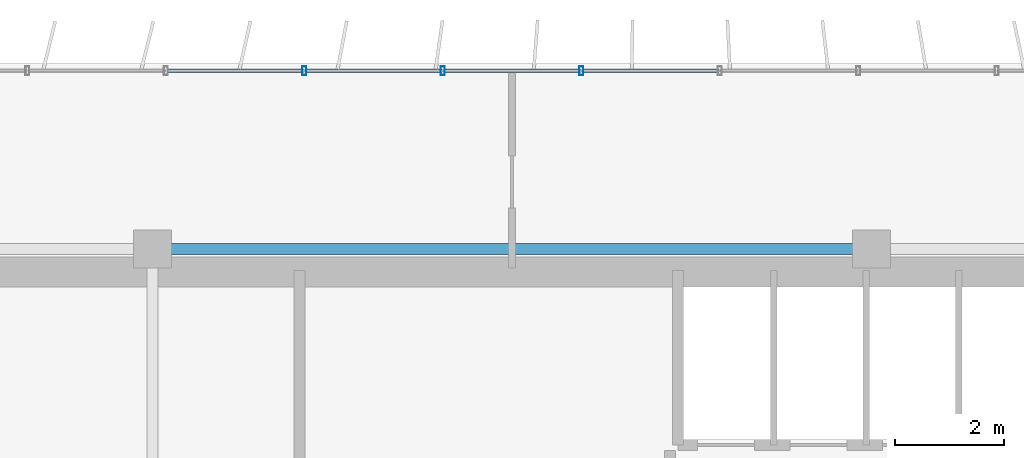
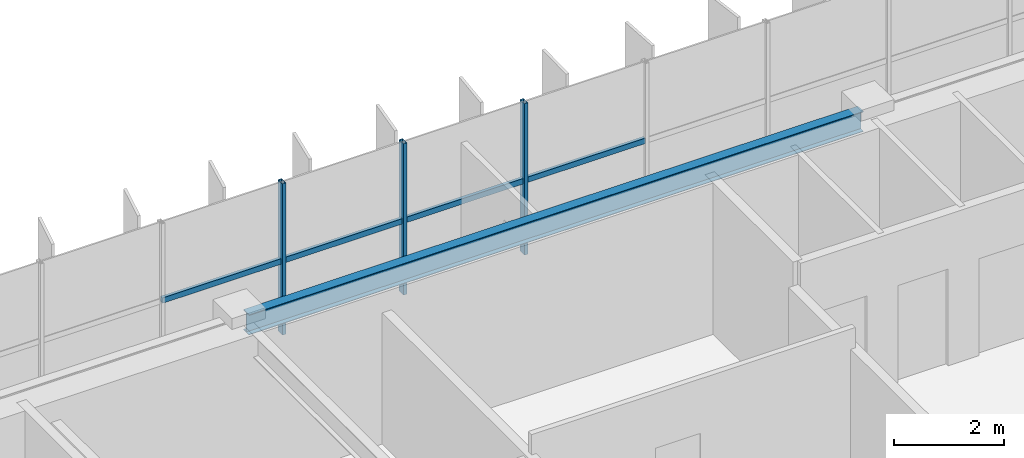
# One storey, part 9 of 23: 7 members, 1 beam, 1 element without a shape of its own.
"""IFC4 building model written with IfcOpenShell, lengths in metres."""

import ifcopenshell
import ifcopenshell.guid

model = None  # the IFC model being written
_history = None  # IfcOwnerHistory: only IFC2X3 demands one
_inside = {}  # id of a spatial element -> (the spatial element, [elements in it])
_under = {}  # id of a project, library or spatial element -> (it, [spatial elements below it])
_declared = {}  # id of a project -> (the project, [libraries it declares])
_typed = {}  # id of a type object -> (the type object, [elements of that type])
_made_of = {}  # id of a material, layer set ... -> (it, [elements and type objects made of it])


def new_model(schema):
    """Start an empty IFC model of exactly this schema.

    Asked for "IFC4X3", IfcOpenShell would pick the latest addendum, in which some entities
    have other attributes; the version numbers below select the first issue.
    IFC2X3 requires an IfcOwnerHistory on every rooted entity: one is made here for all.
    """
    global model, _history
    if schema == "IFC4X3":
        model = ifcopenshell.file(schema_version=(4, 3, 0, 0))
    else:
        model = ifcopenshell.file(schema=schema)
    _inside.clear()
    _under.clear()
    _declared.clear()
    _typed.clear()
    _made_of.clear()
    _history = None
    if model.schema == "IFC2X3":
        org = make("IfcOrganization", Name="unknown")
        user = make(
            "IfcPersonAndOrganization",
            ThePerson=make("IfcPerson", FamilyName="unknown"),
            TheOrganization=org,
        )
        app = make(
            "IfcApplication",
            ApplicationDeveloper=org,
            Version="unknown",
            ApplicationFullName="unknown",
            ApplicationIdentifier="unknown",
        )
        _history = make(
            "IfcOwnerHistory",
            OwningUser=user,
            OwningApplication=app,
            ChangeAction="ADDED",
            CreationDate=0,
        )
    return model


def make(cls, **values):
    """One entity of the class cls with the attributes given. An attribute that is None is left unset."""
    return model.create_entity(
        cls, **{name: value for name, value in values.items() if value is not None}
    )


def rooted(cls, **values):
    """An entity with a GlobalId (a new one), such as an element, a storey or a relation."""
    return make(cls, GlobalId=ifcopenshell.guid.new(), OwnerHistory=_history, **values)


def si_unit(unit_type, name, prefix=None):
    """IfcSIUnit, for example si_unit("LENGTHUNIT", "METRE", prefix="MILLI")."""
    return make("IfcSIUnit", UnitType=unit_type, Prefix=prefix, Name=name)


def assignment(units):
    """IfcUnitAssignment: the units of a project."""
    return None if units is None else make("IfcUnitAssignment", Units=units)


def point(xyz):
    """IfcCartesianPoint."""
    return None if xyz is None else make("IfcCartesianPoint", Coordinates=xyz)


def direction(xyz):
    """IfcDirection."""
    return None if xyz is None else make("IfcDirection", DirectionRatios=xyz)


def frame(location, z_axis=None, x_axis=None):
    """IfcAxis2Placement3D, a coordinate frame: its origin and axes. An axis left out is left unset."""
    return make(
        "IfcAxis2Placement3D",
        Location=point(location),
        Axis=direction(z_axis),
        RefDirection=direction(x_axis),
    )


def frame_2d(location, x_axis=None):
    """IfcAxis2Placement2D, a coordinate frame in the plane: its origin and x axis."""
    return make(
        "IfcAxis2Placement2D", Location=point(location), RefDirection=direction(x_axis)
    )


def origin():
    """The frame at (0, 0, 0) with its axes left unset."""
    return frame((0.0, 0.0, 0.0))


def origin_2d():
    """The frame at (0, 0) in the plane with its x axis left unset."""
    return frame_2d((0.0, 0.0))


def place(relative_to, where):
    """IfcLocalPlacement: puts the frame where relative to a parent placement (None: the world)."""
    return make(
        "IfcLocalPlacement", PlacementRelTo=relative_to, RelativePlacement=where
    )


def context(
    kind, dimensions, precision=None, world=None, true_north=None, identifier=None
):
    """IfcGeometricRepresentationContext, for example the 3D "Model" context."""
    return make(
        "IfcGeometricRepresentationContext",
        ContextIdentifier=identifier,
        ContextType=kind,
        CoordinateSpaceDimension=dimensions,
        Precision=precision,
        WorldCoordinateSystem=world,
        TrueNorth=true_north,
    )


def subcontext(parent, identifier, kind, view, scale=None):
    """IfcGeometricRepresentationSubContext, for example "Body" below "Model"."""
    return make(
        "IfcGeometricRepresentationSubContext",
        ContextIdentifier=identifier,
        ContextType=kind,
        ParentContext=parent,
        TargetScale=scale,
        TargetView=view,
    )


def project(units=None, contexts=None):
    """IfcProject with its units and contexts."""
    return rooted(
        "IfcProject",
        Name="project",
        RepresentationContexts=contexts,
        UnitsInContext=assignment(units),
    )


def spatial(cls, under=None, at=None, **own):
    """A site, building, storey or space (cls), placed at a placement, below another one or the project."""
    s = rooted(cls, ObjectPlacement=at, **own)
    if under is not None:
        _under.setdefault(under.id(), (under, []))[1].append(s)
    return s


def profile(cls, at=None, kind="AREA", **sizes):
    """A parametric profile (cls). Its sizes go by their IFC names, for example OverallWidth=200.0."""
    return make(cls, ProfileType=kind, Position=at, **sizes)


def hollow_rectangle(**sizes):
    """IfcRectangleHollowProfileDef."""
    return profile("IfcRectangleHollowProfileDef", **sizes)


def i_section(**sizes):
    """IfcIShapeProfileDef."""
    return profile("IfcIShapeProfileDef", **sizes)


def extrude(swept, where, along, depth):
    """IfcExtrudedAreaSolid: the profile swept, set in the frame where, extruded along a direction by depth."""
    return make(
        "IfcExtrudedAreaSolid",
        SweptArea=swept,
        Position=where,
        ExtrudedDirection=direction(along),
        Depth=depth,
    )


def shape(context_of_items, identifier, shape_type, items):
    """IfcShapeRepresentation: the items that make up one representation, for example the "Body"."""
    return make(
        "IfcShapeRepresentation",
        ContextOfItems=context_of_items,
        RepresentationIdentifier=identifier,
        RepresentationType=shape_type,
        Items=items,
    )


def source(mapping_origin, context_of_items, identifier, shape_type, items):
    """IfcRepresentationMap: a shape defined once, which mapped items show again and again."""
    return make(
        "IfcRepresentationMap",
        MappingOrigin=mapping_origin,
        MappedRepresentation=shape(context_of_items, identifier, shape_type, items),
    )


def transform(
    local_origin,
    x_axis=None,
    y_axis=None,
    z_axis=None,
    scale=None,
    scale2=None,
    scale3=None,
    uniform=True,
):
    """IfcCartesianTransformationOperator3D, or its non-uniform kind. x_axis, y_axis, z_axis: its Axis1, 2, 3."""
    if uniform:
        return make(
            "IfcCartesianTransformationOperator3D",
            Axis1=direction(x_axis),
            Axis2=direction(y_axis),
            LocalOrigin=point(local_origin),
            Scale=scale,
            Axis3=direction(z_axis),
        )
    return make(
        "IfcCartesianTransformationOperator3DnonUniform",
        Axis1=direction(x_axis),
        Axis2=direction(y_axis),
        LocalOrigin=point(local_origin),
        Scale=scale,
        Axis3=direction(z_axis),
        Scale2=scale2,
        Scale3=scale3,
    )


def mapped(mapping_source, mapping_target):
    """IfcMappedItem: shows the shape of a source again, moved by a transform."""
    return make(
        "IfcMappedItem", MappingSource=mapping_source, MappingTarget=mapping_target
    )


def material(Name=None, Category=None):
    """IfcMaterial."""
    return make("IfcMaterial", Name=Name, Category=Category)


def material_profile(
    of_material, cross_section, Name=None, Category=None, Priority=None
):
    """IfcMaterialProfile: a cross section and its material."""
    return make(
        "IfcMaterialProfile",
        Name=Name,
        Material=of_material,
        Profile=cross_section,
        Priority=Priority,
        Category=Category,
    )


def profile_set(profiles, Name=None, composite=None):
    """IfcMaterialProfileSet."""
    return make(
        "IfcMaterialProfileSet",
        Name=Name,
        MaterialProfiles=profiles,
        CompositeProfile=composite,
    )


def made_of(thing, what):
    """Note that an element or type object is made of a material, layer set ...; save() writes the relation."""
    if what is not None:
        _made_of.setdefault(what.id(), (what, []))[1].append(thing)
    return thing


def type_object(cls, material=None, **own):
    """A type object (cls), such as IfcWallType, which elements share."""
    return made_of(rooted(cls, **own), material)


def element(
    cls,
    number,
    at=None,
    inside=None,
    cuts=None,
    type_object=None,
    material=None,
    context=None,
    identifier="Body",
    shape_type=None,
    held_by="IfcProductDefinitionShape",
    body=None,
    shapes=None,
    **own,
):
    """One element of the class cls, such as IfcWall. Its Tag is "e" and its number.

    at: its placement. inside: the storey or other place that contains it. cuts: it is an
    opening in that element (IfcRelVoidsElement). A single representation is given by context,
    identifier, shape_type and body (its items); several are given by shapes. held_by: the class
    of the entity that holds the representations. save() writes the other relations.
    """
    e = rooted(cls, Tag="e%d" % number, ObjectPlacement=at, **own)
    if body is not None:
        shapes = [shape(context, identifier, shape_type, body)]
    if shapes is not None:
        e.Representation = make(held_by, Representations=shapes)
    if inside is not None:
        _inside.setdefault(inside.id(), (inside, []))[1].append(e)
    if cuts is not None:
        rooted(
            "IfcRelVoidsElement", RelatingBuildingElement=cuts, RelatedOpeningElement=e
        )
    if type_object is not None:
        _typed.setdefault(type_object.id(), (type_object, []))[1].append(e)
    return made_of(e, material)


def aggregate(whole, parts):
    """IfcRelAggregates: a whole, such as a stair, and the parts it consists of."""
    return rooted("IfcRelAggregates", RelatingObject=whole, RelatedObjects=parts)


def save(model, path):
    """Write the relations noted so far, then the file.

    IfcRelAggregates (storeys below a building ...), IfcRelContainedInSpatialStructure (elements
    in a storey), IfcRelDefinesByType, IfcRelAssociatesMaterial and IfcRelDeclares: one each for
    every whole, place, type object, material and project.
    """
    for whole, parts in _under.values():
        aggregate(whole, parts)
    for where, things in _inside.values():
        rooted(
            "IfcRelContainedInSpatialStructure",
            RelatedElements=things,
            RelatingStructure=where,
        )
    for kind, things in _typed.values():
        rooted("IfcRelDefinesByType", RelatedObjects=things, RelatingType=kind)
    for what, things in _made_of.values():
        rooted("IfcRelAssociatesMaterial", RelatedObjects=things, RelatingMaterial=what)
    for by, libraries in _declared.values():
        rooted("IfcRelDeclares", RelatingContext=by, RelatedDefinitions=libraries)
    model.write(path)


model = new_model("IFC4")

# Units and contexts
model_context = context("Model", 3, precision=1e-05, world=origin(), true_north=direction((0.0, 1.0)))
body_context = subcontext(model_context, "Body", "Model", "MODEL_VIEW")
ifc_project = project(units=[si_unit("LENGTHUNIT", "METRE"), si_unit("AREAUNIT", "SQUARE_METRE"), si_unit("VOLUMEUNIT", "CUBIC_METRE"), si_unit("PLANEANGLEUNIT", "RADIAN"), si_unit("MASSUNIT", "GRAM", prefix="KILO")], contexts=[model_context])

# Site, building, storey
site_placement = place(None, origin())
site = spatial("IfcSite", under=ifc_project, at=site_placement, CompositionType="ELEMENT")
building_placement = place(site_placement, origin())
building = spatial("IfcBuilding", under=site, at=building_placement, Name="Trelvane Seafront Commons", CompositionType="ELEMENT")
storey_placement = place(building_placement, frame((0.0, 0.0, 230.10009765625)))
storey = spatial("IfcBuildingStorey", under=building, at=storey_placement, Name="L60", CompositionType="ELEMENT", Elevation=230.10009765625)

# Beam
ifc_material_1 = material(Name="Steel SM355 (S355)", Category="steel")
ifc_material_profile_1 = material_profile(ifc_material_1, i_section(OverallWidth=0.199951171875, OverallDepth=0.449951171875, WebThickness=0.009033203125, FlangeThickness=0.013916015625, at=origin_2d()), Name="H-450x200x9x14")
ifc_profile_set_1 = profile_set([ifc_material_profile_1], Name="Steel SM355 (S355)")
beam_type = type_object("IfcBeamType", Name="STR-SPD-H450", PredefinedType="SPANDREL", material=ifc_profile_set_1)
shared_shape_1 = source(origin(), body_context, "Body", "SweptSolid", [
    extrude(i_section(OverallWidth=0.199951171875, OverallDepth=0.449951171875, WebThickness=0.009033203125, FlangeThickness=0.013916015625, at=origin_2d()), origin(), (0.0, 0.0, 1.0), 12.89990234375),
])
beam_placement = place(storey_placement, frame((30.75, 45.10009765625, 3.135009765625), z_axis=(1.0, 0.0, 0.0), x_axis=(0.0, 1.0, 0.0)))
element("IfcBeam", 1, at=beam_placement, inside=storey, type_object=beam_type, Name="L60 Primary Girder G-25", PredefinedType="SPANDREL", context=body_context, shape_type="MappedRepresentation", body=[
    mapped(shared_shape_1, transform((0.0, 0.0, 0.0), x_axis=(1.0, 0.0, 0.0), y_axis=(0.0, 1.0, 0.0), z_axis=(0.0, 0.0, 1.0), scale=1.0)),
])

# Curtain wall, members
ifc_material_2 = material(Name="Anodised pale-silver aluminium", Category="aluminium")
curtain_wall_type = type_object("IfcCurtainWallType", Name="ARCH-CW5-UPTOWER", PredefinedType="NOTDEFINED", material=ifc_material_2)
curtain_wall_placement = place(storey_placement, origin())
curtain_wall = element("IfcCurtainWall", 2, at=curtain_wall_placement, inside=storey, type_object=curtain_wall_type, Name="CW-L60-0103", PredefinedType="NOTDEFINED")
ifc_material_profile_2 = material_profile(ifc_material_2, hollow_rectangle(XDim=0.070068359375, YDim=0.1201171875, WallThickness=0.00390625, at=origin_2d()), Name="TRAN-70x120x4")
ifc_profile_set_2 = profile_set([ifc_material_profile_2], Name="Anodised pale-silver aluminium")
member_type_1 = type_object("IfcMemberType", Name="ARCH-CW-TRAN-120", PredefinedType="USERDEFINED", material=ifc_profile_set_2)
shared_shape_2 = source(origin(), body_context, "Body", "SweptSolid", [
    extrude(hollow_rectangle(XDim=0.070068359375, YDim=0.1201171875, WallThickness=0.00390625, at=origin_2d()), origin(), (0.0, 0.0, 1.0), 2.51708984375),
])
member_1_placement = place(storey_placement, frame((30.859130859375, 48.3701171875, 1.61279296875), z_axis=(1.0, 0.0, 0.0), x_axis=(0.0, 1.0, 0.0)))
member_1 = element("IfcMember", 3, at=member_1_placement, type_object=member_type_1, Name="CW-L60-0103-T06", ObjectType="TRANSOM", PredefinedType="USERDEFINED", context=body_context, shape_type="MappedRepresentation", body=[
    mapped(shared_shape_2, transform((0.0, 0.0, 0.0), x_axis=(1.0, 0.0, 0.0), y_axis=(0.0, 1.0, 0.0), z_axis=(0.0, 0.0, 1.0), scale=1.0)),
])
member_2_placement = place(storey_placement, frame((35.94140625, 48.3701171875, 1.61279296875), z_axis=(1.0, 0.0, 0.0), x_axis=(0.0, 1.0, 0.0)))
member_2 = element("IfcMember", 4, at=member_2_placement, type_object=member_type_1, Name="CW-L60-0103-T08", ObjectType="TRANSOM", PredefinedType="USERDEFINED", context=body_context, shape_type="MappedRepresentation", body=[
    mapped(shared_shape_2, transform((0.0, 0.0, 0.0), x_axis=(1.0, 0.0, 0.0), y_axis=(0.0, 1.0, 0.0), z_axis=(0.0, 0.0, 1.0), scale=1.0)),
])
member_3_placement = place(storey_placement, frame((38.482666015625, 48.3701171875, 1.61279296875), z_axis=(1.0, 0.0, 0.0), x_axis=(0.0, 1.0, 0.0)))
member_3 = element("IfcMember", 5, at=member_3_placement, type_object=member_type_1, Name="CW-L60-0103-T09", ObjectType="TRANSOM", PredefinedType="USERDEFINED", context=body_context, shape_type="MappedRepresentation", body=[
    mapped(shared_shape_2, transform((0.0, 0.0, 0.0), x_axis=(1.0, 0.0, 0.0), y_axis=(0.0, 1.0, 0.0), z_axis=(0.0, 0.0, 1.0), scale=1.0)),
])
shared_shape_3 = source(origin(), body_context, "Body", "SweptSolid", [
    extrude(hollow_rectangle(XDim=0.070068359375, YDim=0.1201171875, WallThickness=0.00390625, at=origin_2d()), origin(), (0.0, 0.0, 1.0), 2.517333984375),
])
member_4_placement = place(storey_placement, frame((33.400146484375, 48.3701171875, 1.61279296875), z_axis=(1.0, 0.0, 0.0), x_axis=(0.0, 1.0, 0.0)))
member_4 = element("IfcMember", 6, at=member_4_placement, type_object=member_type_1, Name="CW-L60-0103-T07", ObjectType="TRANSOM", PredefinedType="USERDEFINED", context=body_context, shape_type="MappedRepresentation", body=[
    mapped(shared_shape_3, transform((0.0, 0.0, 0.0), x_axis=(1.0, 0.0, 0.0), y_axis=(0.0, 1.0, 0.0), z_axis=(0.0, 0.0, 1.0), scale=1.0)),
])
ifc_material_profile_3 = material_profile(ifc_material_2, hollow_rectangle(XDim=0.074951171875, YDim=0.159912109375, WallThickness=0.00390625, at=origin_2d()), Name="MULL-75x160x4")
ifc_profile_set_3 = profile_set([ifc_material_profile_3], Name="Anodised pale-silver aluminium")
member_type_2 = type_object("IfcMemberType", Name="ARCH-CW-MULL-160", PredefinedType="MULLION", material=ifc_profile_set_3)
shared_shape_4 = source(origin(), body_context, "Body", "SweptSolid", [
    extrude(hollow_rectangle(XDim=0.074951171875, YDim=0.159912109375, WallThickness=0.00390625, at=origin_2d()), origin(), (0.0, 0.0, 1.0), 3.35986328125),
])
member_5_placement = place(storey_placement, frame((33.38818359375, 48.3701171875, 0.0), z_axis=(0.0, 0.0, 1.0), x_axis=(1.0, 0.0, 0.0)))
member_5 = element("IfcMember", 7, at=member_5_placement, type_object=member_type_2, Name="CW-L60-0103-M07", PredefinedType="MULLION", context=body_context, shape_type="MappedRepresentation", body=[
    mapped(shared_shape_4, transform((0.0, 0.0, 0.0), x_axis=(1.0, 0.0, 0.0), y_axis=(0.0, 1.0, 0.0), z_axis=(0.0, 0.0, 1.0), scale=1.0)),
])
member_6_placement = place(storey_placement, frame((35.929443359375, 48.3701171875, 0.0), z_axis=(0.0, 0.0, 1.0), x_axis=(1.0, 0.0, 0.0)))
member_6 = element("IfcMember", 8, at=member_6_placement, type_object=member_type_2, Name="CW-L60-0103-M08", PredefinedType="MULLION", context=body_context, shape_type="MappedRepresentation", body=[
    mapped(shared_shape_4, transform((0.0, 0.0, 0.0), x_axis=(1.0, 0.0, 0.0), y_axis=(0.0, 1.0, 0.0), z_axis=(0.0, 0.0, 1.0), scale=1.0)),
])
member_7_placement = place(storey_placement, frame((38.470703125, 48.3701171875, 0.0), z_axis=(0.0, 0.0, 1.0), x_axis=(1.0, 0.0, 0.0)))
member_7 = element("IfcMember", 9, at=member_7_placement, type_object=member_type_2, Name="CW-L60-0103-M09", PredefinedType="MULLION", context=body_context, shape_type="MappedRepresentation", body=[
    mapped(shared_shape_4, transform((0.0, 0.0, 0.0), x_axis=(1.0, 0.0, 0.0), y_axis=(0.0, 1.0, 0.0), z_axis=(0.0, 0.0, 1.0), scale=1.0)),
])
aggregate(curtain_wall, [member_5, member_6, member_7, member_1, member_4, member_2, member_3])

save(model, "model.ifc")
